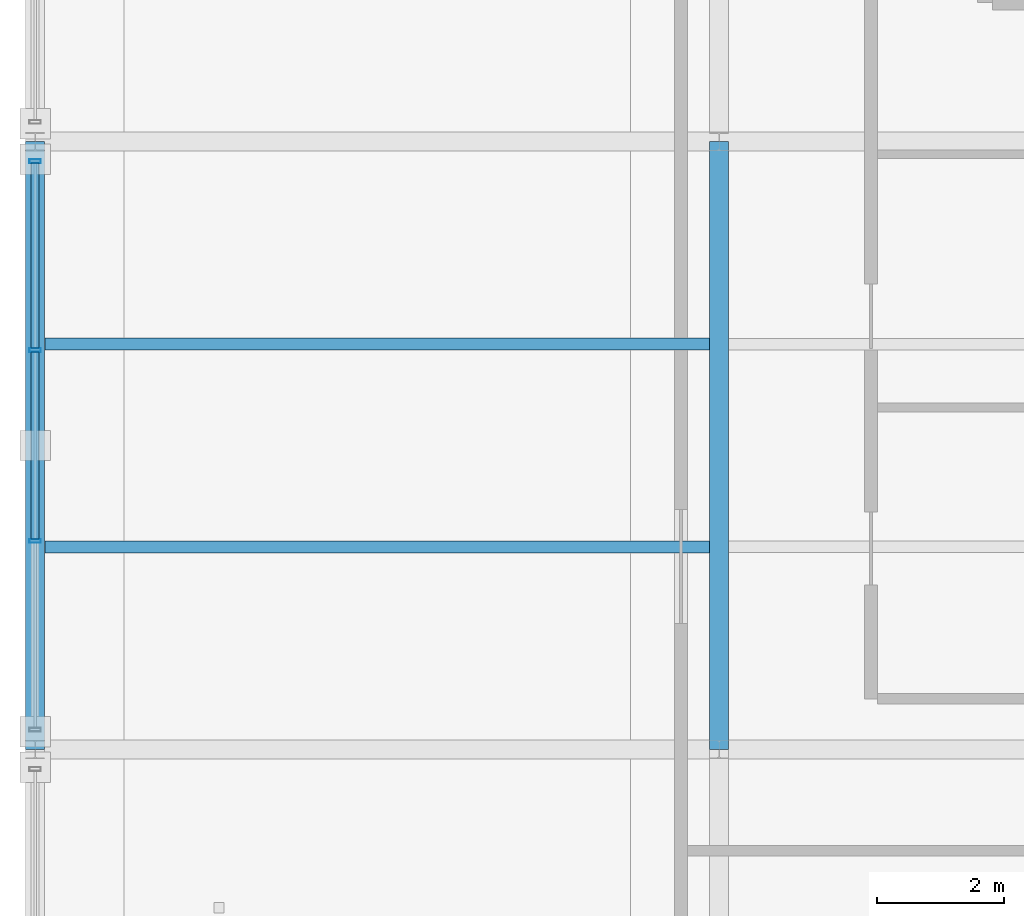
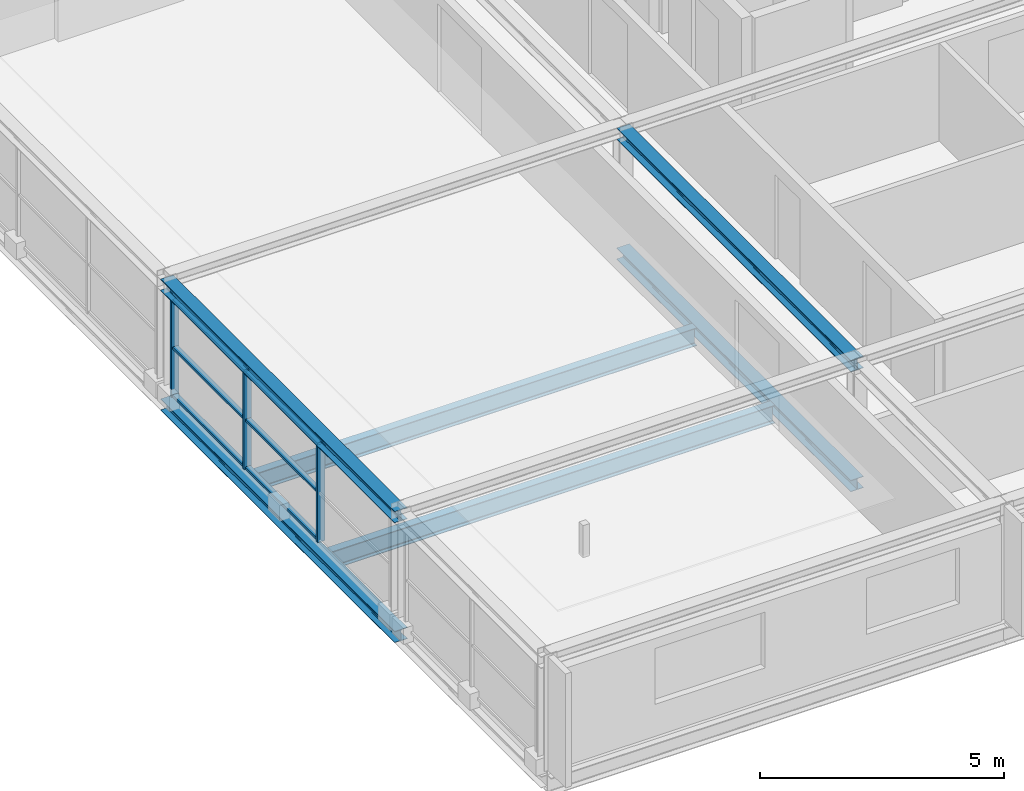
# One storey, part 5 of 14: 9 members, 6 beams, 1 element without a shape of its own.
"""IFC4 building model written with IfcOpenShell, lengths in metres."""

from ifc_helpers import new_model, si_unit, direction, frame, origin, origin_2d, place, context, subcontext, project, spatial, hollow_rectangle, i_section, extrude, material, material_profile, profile_set, type_object, element, aggregate, save


model = new_model("IFC4")

# Units and contexts
model_context = context("Model", 3, precision=1e-05, world=origin(), true_north=direction((0.0, 1.0)))
body_context = subcontext(model_context, "Body", "Model", "MODEL_VIEW")
ifc_project = project(units=[si_unit("LENGTHUNIT", "METRE"), si_unit("AREAUNIT", "SQUARE_METRE"), si_unit("VOLUMEUNIT", "CUBIC_METRE"), si_unit("PLANEANGLEUNIT", "RADIAN"), si_unit("MASSUNIT", "GRAM", prefix="KILO")], contexts=[model_context])

# Site, building, storey
site_placement = place(None, origin())
site = spatial("IfcSite", under=ifc_project, at=site_placement, CompositionType="ELEMENT")
building_placement = place(site_placement, origin())
building = spatial("IfcBuilding", under=site, at=building_placement, Name="Merenkruunu Market Hall", CompositionType="ELEMENT")
storey_placement = place(building_placement, frame((0.0, 0.0, 18.60009765625)))
storey = spatial("IfcBuildingStorey", under=building, at=storey_placement, Name="L04", CompositionType="ELEMENT", Elevation=18.60009765625)

# Curtain wall, members
ifc_material_1 = material(Name="Powder-coated aluminium", Category="aluminium")
curtain_wall_type = type_object("IfcCurtainWallType", Name="Glazed Curtain Wall CW08", PredefinedType="USERDEFINED", material=ifc_material_1)
curtain_wall_placement = place(storey_placement, origin())
curtain_wall = element("IfcCurtainWall", 1, at=curtain_wall_placement, inside=storey, type_object=curtain_wall_type, Name="CW-L04-CWM02-226", ObjectType="GLAZED_FACADE", PredefinedType="USERDEFINED")
ifc_material_profile_1 = material_profile(ifc_material_1, hollow_rectangle(XDim=0.06005859375, YDim=0.179931640625, WallThickness=0.00390625, at=origin_2d()), Name="ALU 60x180x4")
ifc_profile_set_1 = profile_set([ifc_material_profile_1], Name="Powder-coated aluminium")
member_type_1 = type_object("IfcMemberType", Name="Curtain Wall Mullion CWM02", PredefinedType="MULLION", material=ifc_profile_set_1)
member_1_placement = place(storey_placement, frame((159.60009765625, 9.293212890625, 0.0), z_axis=(0.0, 0.0, 1.0), x_axis=(0.0, 1.0, 0.0)))
member_1 = element("IfcMember", 2, at=member_1_placement, type_object=member_type_1, Name="CW08 mullion 2", PredefinedType="MULLION", context=body_context, shape_type="SweptSolid", body=[
    extrude(hollow_rectangle(XDim=0.06005859375, YDim=0.179931640625, WallThickness=0.00390625, at=origin_2d()), origin(), (0.0, 0.0, 1.0), 2.449951171875),
])
member_2_placement = place(storey_placement, frame((159.60009765625, 12.306640625, 0.0), z_axis=(0.0, 0.0, 1.0), x_axis=(0.0, 1.0, 0.0)))
member_2 = element("IfcMember", 3, at=member_2_placement, type_object=member_type_1, Name="CW08 mullion 3", PredefinedType="MULLION", context=body_context, shape_type="SweptSolid", body=[
    extrude(hollow_rectangle(XDim=0.06005859375, YDim=0.179931640625, WallThickness=0.00390625, at=origin_2d()), origin(), (0.0, 0.0, 1.0), 2.449951171875),
])
member_3_placement = place(storey_placement, frame((159.60009765625, 15.2900390625, 0.0), z_axis=(0.0, 0.0, 1.0), x_axis=(0.0, 1.0, 0.0)))
member_3 = element("IfcMember", 4, at=member_3_placement, type_object=member_type_1, Name="CW08 mullion 4", PredefinedType="MULLION", context=body_context, shape_type="SweptSolid", body=[
    extrude(hollow_rectangle(XDim=0.06005859375, YDim=0.179931640625, WallThickness=0.00390625, at=origin_2d()), origin(), (0.0, 0.0, 1.0), 2.449951171875),
])
ifc_material_profile_2 = material_profile(ifc_material_1, hollow_rectangle(XDim=0.06005859375, YDim=0.125, WallThickness=0.00390625, at=origin_2d()), Name="ALU 60x125x4")
ifc_profile_set_2 = profile_set([ifc_material_profile_2], Name="Powder-coated aluminium")
member_type_2 = type_object("IfcMemberType", Name="Curtain Wall Transom CWT01", PredefinedType="USERDEFINED", material=ifc_profile_set_2)
member_4_placement = place(storey_placement, frame((159.60009765625, 9.3232421875, 0.02978515625), z_axis=(0.0, 1.0, 0.0), x_axis=(0.0, 0.0, 1.0)))
member_4 = element("IfcMember", 5, at=member_4_placement, type_object=member_type_2, Name="CW08 transom 2.1", ObjectType="TRANSOM", PredefinedType="USERDEFINED", context=body_context, shape_type="SweptSolid", body=[
    extrude(hollow_rectangle(XDim=0.06005859375, YDim=0.125, WallThickness=0.00390625, at=origin_2d()), origin(), (0.0, 0.0, 1.0), 2.953369140625),
])
member_5_placement = place(storey_placement, frame((159.60009765625, 9.3232421875, 1.224853515625), z_axis=(0.0, 1.0, 0.0), x_axis=(0.0, 0.0, 1.0)))
member_5 = element("IfcMember", 6, at=member_5_placement, type_object=member_type_2, Name="CW08 transom 2.2", ObjectType="TRANSOM", PredefinedType="USERDEFINED", context=body_context, shape_type="SweptSolid", body=[
    extrude(hollow_rectangle(XDim=0.06005859375, YDim=0.125, WallThickness=0.00390625, at=origin_2d()), origin(), (0.0, 0.0, 1.0), 2.953369140625),
])
member_6_placement = place(storey_placement, frame((159.60009765625, 9.3232421875, 2.419921875), z_axis=(0.0, 1.0, 0.0), x_axis=(0.0, 0.0, 1.0)))
member_6 = element("IfcMember", 7, at=member_6_placement, type_object=member_type_2, Name="CW08 transom 2.3", ObjectType="TRANSOM", PredefinedType="USERDEFINED", context=body_context, shape_type="SweptSolid", body=[
    extrude(hollow_rectangle(XDim=0.06005859375, YDim=0.125, WallThickness=0.00390625, at=origin_2d()), origin(), (0.0, 0.0, 1.0), 2.953369140625),
])
member_7_placement = place(storey_placement, frame((159.60009765625, 12.336669921875, 0.02978515625), z_axis=(0.0, 1.0, 0.0), x_axis=(0.0, 0.0, 1.0)))
member_7 = element("IfcMember", 8, at=member_7_placement, type_object=member_type_2, Name="CW08 transom 3.1", ObjectType="TRANSOM", PredefinedType="USERDEFINED", context=body_context, shape_type="SweptSolid", body=[
    extrude(hollow_rectangle(XDim=0.06005859375, YDim=0.125, WallThickness=0.00390625, at=origin_2d()), origin(), (0.0, 0.0, 1.0), 2.92333984375),
])
member_8_placement = place(storey_placement, frame((159.60009765625, 12.336669921875, 1.224853515625), z_axis=(0.0, 1.0, 0.0), x_axis=(0.0, 0.0, 1.0)))
member_8 = element("IfcMember", 9, at=member_8_placement, type_object=member_type_2, Name="CW08 transom 3.2", ObjectType="TRANSOM", PredefinedType="USERDEFINED", context=body_context, shape_type="SweptSolid", body=[
    extrude(hollow_rectangle(XDim=0.06005859375, YDim=0.125, WallThickness=0.00390625, at=origin_2d()), origin(), (0.0, 0.0, 1.0), 2.92333984375),
])
member_9_placement = place(storey_placement, frame((159.60009765625, 12.336669921875, 2.419921875), z_axis=(0.0, 1.0, 0.0), x_axis=(0.0, 0.0, 1.0)))
member_9 = element("IfcMember", 10, at=member_9_placement, type_object=member_type_2, Name="CW08 transom 3.3", ObjectType="TRANSOM", PredefinedType="USERDEFINED", context=body_context, shape_type="SweptSolid", body=[
    extrude(hollow_rectangle(XDim=0.06005859375, YDim=0.125, WallThickness=0.00390625, at=origin_2d()), origin(), (0.0, 0.0, 1.0), 2.92333984375),
])
aggregate(curtain_wall, [member_1, member_2, member_3, member_4, member_5, member_6, member_7, member_8, member_9])

# Beams
ifc_material_2 = material(Name="Steel S355J2", Category="steel")
ifc_material_profile_3 = material_profile(ifc_material_2, i_section(OverallWidth=0.300048828125, OverallDepth=0.2900390625, WebThickness=0.008544921875, FlangeThickness=0.013916015625, FilletRadius=0.027099609375, at=origin_2d()), Name="HEA 300")
ifc_profile_set_3 = profile_set([ifc_material_profile_3], Name="Steel S355J2")
beam_type_1 = type_object("IfcBeamType", Name="Primary Floor Girder B09", PredefinedType="BEAM", material=ifc_profile_set_3)
for number, where, z_axis, x_axis, name in (
    (11, (159.60009765625, 6.0, -0.364990234375), (0.0, 1.0, 0.0), (-1.0, 0.0, 0.0), "BM-L04-B09-0931"),
    (12, (170.39990234375, 6.0, -0.364990234375), (0.0, 1.0, 0.0), (-1.0, 0.0, 0.0), "BM-L04-B09-0935"),
    (13, (159.60009765625, 6.0, 2.635009765625), (0.0, 1.0, 0.0), (-1.0, 0.0, 0.0), "BM-L04-B09-1322"),
    (14, (170.39990234375, 6.0, 2.635009765625), (0.0, 1.0, 0.0), (-1.0, 0.0, 0.0), "BM-L04-B09-1325"),
):
    element("IfcBeam", number, at=place(storey_placement, frame(where, z_axis=z_axis, x_axis=x_axis)), inside=storey, type_object=beam_type_1, Name=name, PredefinedType="BEAM", context=body_context, shape_type="SweptSolid", body=[
        extrude(i_section(OverallWidth=0.300048828125, OverallDepth=0.2900390625, WebThickness=0.008544921875, FlangeThickness=0.013916015625, FilletRadius=0.027099609375, at=origin_2d()), origin(), (0.0, 0.0, 1.0), 9.60009765625),
    ])
ifc_material_profile_4 = material_profile(ifc_material_2, i_section(OverallWidth=0.18994140625, OverallDepth=0.449951171875, WebThickness=0.009521484375, FlangeThickness=0.0146484375, FilletRadius=0.02099609375, at=origin_2d()), Name="IPE 450")
ifc_profile_set_4 = profile_set([ifc_material_profile_4], Name="Steel S355J2")
beam_type_2 = type_object("IfcBeamType", Name="Secondary Floor Joist J01", PredefinedType="JOIST", material=ifc_profile_set_4)
for number, where, z_axis, x_axis, name in (
    (15, (159.7529296875, 9.199951171875, -0.445068359375), (1.0, 0.0, 0.0), (0.0, 1.0, 0.0), "BM-L04-J01-0947"),
    (16, (159.7529296875, 12.39990234375, -0.445068359375), (1.0, 0.0, 0.0), (0.0, 1.0, 0.0), "BM-L04-J01-0948"),
):
    element("IfcBeam", number, at=place(storey_placement, frame(where, z_axis=z_axis, x_axis=x_axis)), inside=storey, type_object=beam_type_2, Name=name, PredefinedType="JOIST", context=body_context, shape_type="SweptSolid", body=[
        extrude(i_section(OverallWidth=0.18994140625, OverallDepth=0.449951171875, WebThickness=0.009521484375, FlangeThickness=0.0146484375, FilletRadius=0.02099609375, at=origin_2d()), origin(), (0.0, 0.0, 1.0), 10.494140625),
    ])

save(model, "model.ifc")
